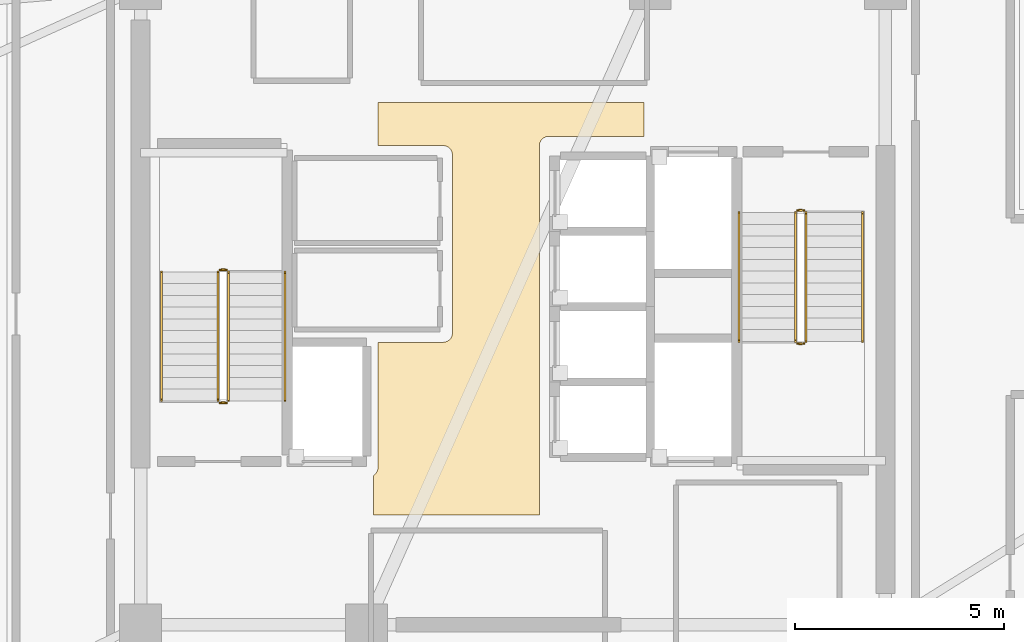
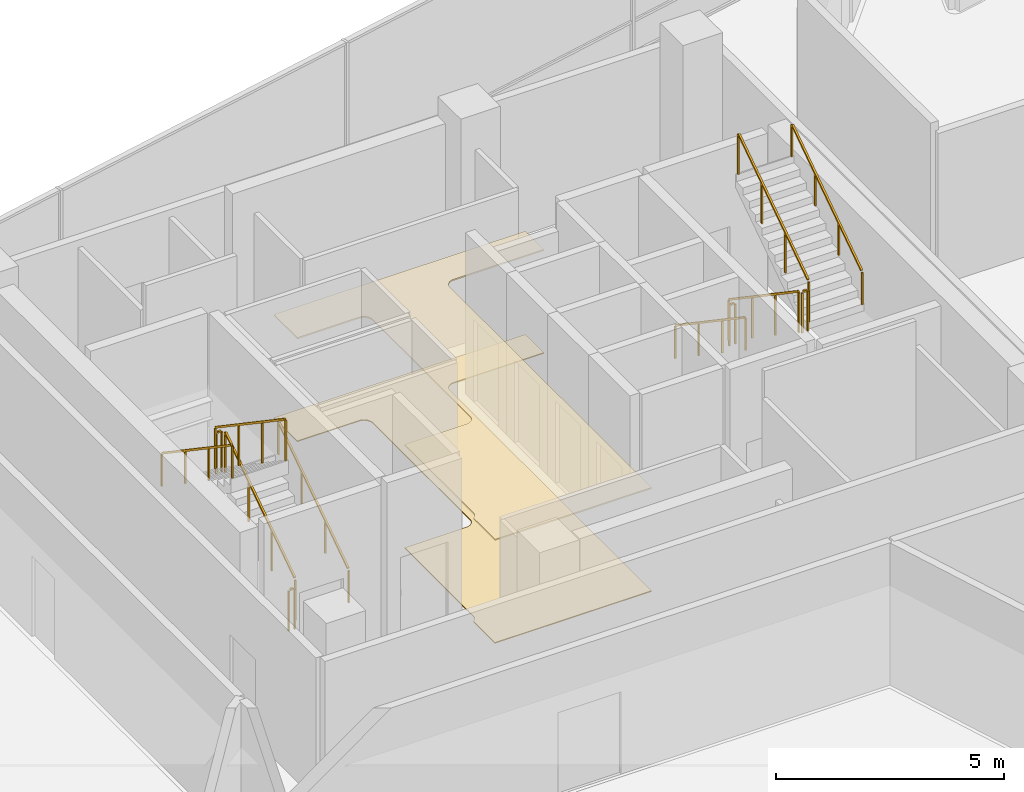
# One storey, part 10 of 11: 12 railings, 2 coverings.
"""IFC4 building model written with IfcOpenShell, lengths in metres."""

from ifc_helpers import new_model, si_unit, direction, frame, origin, origin_2d, place, context, subcontext, project, spatial, polyline, rectangle, outline, extrude, material, layer, layer_set, type_object, element, save


model = new_model("IFC4")

# Units and contexts
model_context = context("Model", 3, precision=1e-05, world=origin(), true_north=direction((0.0, 1.0)))
body_context = subcontext(model_context, "Body", "Model", "MODEL_VIEW")
ifc_project = project(units=[si_unit("LENGTHUNIT", "METRE"), si_unit("AREAUNIT", "SQUARE_METRE"), si_unit("VOLUMEUNIT", "CUBIC_METRE"), si_unit("PLANEANGLEUNIT", "RADIAN"), si_unit("MASSUNIT", "GRAM", prefix="KILO")], contexts=[model_context])

# Site, building, storey
site_placement = place(None, origin())
site = spatial("IfcSite", under=ifc_project, at=site_placement, CompositionType="ELEMENT")
building_placement = place(site_placement, origin())
building = spatial("IfcBuilding", under=site, at=building_placement, Name="Tharavind Bronze Gate", CompositionType="ELEMENT")
storey_placement = place(building_placement, frame((0.0, 0.0, 306.300048828125)))
storey = spatial("IfcBuildingStorey", under=building, at=storey_placement, Name="L79", CompositionType="ELEMENT", Elevation=306.300048828125)

# Coverings
ifc_material_1 = material(Name="Perforated Bronze Acoustic Panel", Category="bronze")
ifc_layer_1 = layer(ifc_material_1, 0.044921875)
ifc_layer_set_1 = layer_set([ifc_layer_1], Name="Perforated Bronze Acoustic Panel")
covering_type_1 = type_object("IfcCoveringType", Name="ACOUSTIC BRONZE BAFFLE CEILING", PredefinedType="CEILING", material=ifc_layer_set_1)
covering_1_placement = place(storey_placement, frame((0.0, 0.0, 2.75)))
element("IfcCovering", 1, at=covering_1_placement, inside=storey, type_object=covering_type_1, Name="L79-C-LL suspended ceiling", PredefinedType="CEILING", context=body_context, shape_type="SweptSolid", body=[
    extrude(outline(polyline([(-3.330078125, -4.97998046875), (0.6298828125, -4.97998046875), (0.6298828125, 3.85009765625), (0.631103515625, 3.87158203125), (0.63427734375, 3.892822265625), (0.639404296875, 3.913818359375), (0.646728515625, 3.93408203125), (0.656005859375, 3.95361328125), (0.6669921875, 3.97216796875), (0.679931640625, 3.989501953125), (0.6943359375, 4.005615234375), (0.71044921875, 4.02001953125), (0.727783203125, 4.032958984375), (0.746337890625, 4.0439453125), (0.765869140625, 4.05322265625), (0.7861328125, 4.060546875), (0.80712890625, 4.06591796875), (0.828369140625, 4.06884765625), (0.85009765625, 4.070068359375), (3.1298828125, 4.070068359375), (3.1298828125, 4.8798828125), (-3.22998046875, 4.8798828125), (-3.22998046875, 3.85009765625), (-1.669921875, 3.85009765625), (-1.6484375, 3.848876953125), (-1.627197265625, 3.845703125), (-1.606201171875, 3.840576171875), (-1.585693359375, 3.833251953125), (-1.56640625, 3.823974609375), (-1.5478515625, 3.81298828125), (-1.530517578125, 3.800048828125), (-1.514404296875, 3.78564453125), (-1.5, 3.76953125), (-1.487060546875, 3.752197265625), (-1.47607421875, 3.733642578125), (-1.466796875, 3.714111328125), (-1.45947265625, 3.69384765625), (-1.4541015625, 3.6728515625), (-1.451171875, 3.651611328125), (-1.449951171875, 3.6298828125), (-1.449951171875, 1.43994140625), (-1.450439453125, 1.429931640625), (-1.449951171875, 1.419921875), (-1.449951171875, -0.6298828125), (-1.451171875, -0.651611328125), (-1.4541015625, -0.6728515625), (-1.45947265625, -0.69384765625), (-1.466796875, -0.714111328125), (-1.47607421875, -0.733642578125), (-1.487060546875, -0.752197265625), (-1.5, -0.76953125), (-1.514404296875, -0.78564453125), (-1.530517578125, -0.800048828125), (-1.5478515625, -0.81298828125), (-1.56640625, -0.823974609375), (-1.585693359375, -0.833251953125), (-1.606201171875, -0.840576171875), (-1.627197265625, -0.845703125), (-1.6484375, -0.848876953125), (-1.669921875, -0.85009765625), (-3.22998046875, -0.85009765625), (-3.22998046875, -3.85009765625), (-3.231201171875, -3.87158203125), (-3.234130859375, -3.892822265625), (-3.239501953125, -3.913818359375), (-3.24658203125, -3.93408203125), (-3.256103515625, -3.95361328125), (-3.26708984375, -3.97216796875), (-3.27978515625, -3.989501953125), (-3.29443359375, -4.005615234375), (-3.310302734375, -4.02001953125), (-3.327880859375, -4.032958984375), (-3.330078125, -4.0341796875), (-3.330078125, -4.97998046875)])), origin(), (0.0, 0.0, 1.0), 0.034912109375),
])
ifc_material_2 = material(Name="Honed Travertine Limestone", Category="masonry")
ifc_layer_2 = layer(ifc_material_2, 0.030029296875)
ifc_layer_set_2 = layer_set([ifc_layer_2], Name="Honed Travertine Limestone")
covering_type_2 = type_object("IfcCoveringType", Name="HONED LIMESTONE FLOORING", PredefinedType="FLOORING", material=ifc_layer_set_2)
covering_2_placement = place(storey_placement, origin())
element("IfcCovering", 2, at=covering_2_placement, inside=storey, type_object=covering_type_2, Name="L79-C-LL floor finish", PredefinedType="FLOORING", context=body_context, shape_type="SweptSolid", body=[
    extrude(outline(polyline([(-3.330078125, -4.97998046875), (0.6298828125, -4.97998046875), (0.6298828125, 3.85009765625), (0.631103515625, 3.87158203125), (0.63427734375, 3.892822265625), (0.639404296875, 3.913818359375), (0.646728515625, 3.93408203125), (0.656005859375, 3.95361328125), (0.6669921875, 3.97216796875), (0.679931640625, 3.989501953125), (0.6943359375, 4.005615234375), (0.71044921875, 4.02001953125), (0.727783203125, 4.032958984375), (0.746337890625, 4.0439453125), (0.765869140625, 4.05322265625), (0.7861328125, 4.060546875), (0.80712890625, 4.06591796875), (0.828369140625, 4.06884765625), (0.85009765625, 4.070068359375), (3.1298828125, 4.070068359375), (3.1298828125, 4.8798828125), (-3.22998046875, 4.8798828125), (-3.22998046875, 3.85009765625), (-1.669921875, 3.85009765625), (-1.6484375, 3.848876953125), (-1.627197265625, 3.845703125), (-1.606201171875, 3.840576171875), (-1.585693359375, 3.833251953125), (-1.56640625, 3.823974609375), (-1.5478515625, 3.81298828125), (-1.530517578125, 3.800048828125), (-1.514404296875, 3.78564453125), (-1.5, 3.76953125), (-1.487060546875, 3.752197265625), (-1.47607421875, 3.733642578125), (-1.466796875, 3.714111328125), (-1.45947265625, 3.69384765625), (-1.4541015625, 3.6728515625), (-1.451171875, 3.651611328125), (-1.449951171875, 3.6298828125), (-1.449951171875, 1.43994140625), (-1.450439453125, 1.429931640625), (-1.449951171875, 1.419921875), (-1.449951171875, -0.6298828125), (-1.451171875, -0.651611328125), (-1.4541015625, -0.6728515625), (-1.45947265625, -0.69384765625), (-1.466796875, -0.714111328125), (-1.47607421875, -0.733642578125), (-1.487060546875, -0.752197265625), (-1.5, -0.76953125), (-1.514404296875, -0.78564453125), (-1.530517578125, -0.800048828125), (-1.5478515625, -0.81298828125), (-1.56640625, -0.823974609375), (-1.585693359375, -0.833251953125), (-1.606201171875, -0.840576171875), (-1.627197265625, -0.845703125), (-1.6484375, -0.848876953125), (-1.669921875, -0.85009765625), (-3.22998046875, -0.85009765625), (-3.22998046875, -3.85009765625), (-3.231201171875, -3.87158203125), (-3.234130859375, -3.892822265625), (-3.239501953125, -3.913818359375), (-3.24658203125, -3.93408203125), (-3.256103515625, -3.95361328125), (-3.26708984375, -3.97216796875), (-3.27978515625, -3.989501953125), (-3.29443359375, -4.005615234375), (-3.310302734375, -4.02001953125), (-3.327880859375, -4.032958984375), (-3.330078125, -4.0341796875), (-3.330078125, -4.97998046875)])), origin(), (0.0, 0.0, 1.0), 0.02490234375),
])

# Railings
ifc_material_3 = material(Name="Brushed Bronze Alloy", Category="metal")
railing_type_1 = type_object("IfcRailingType", Name="STAIR BRONZE HANDRAIL 900", PredefinedType="HANDRAIL", material=ifc_material_3)
railing_1_placement = place(storey_placement, frame((-5.449951171875, -2.25, 0.189453125)))
element("IfcRailing", 3, at=railing_1_placement, inside=storey, type_object=railing_type_1, Name="L79 ST1 stair handrail 1", PredefinedType="HANDRAIL", context=body_context, shape_type="SweptSolid", body=[
    extrude(rectangle(XDim=0.048095703125, YDim=0.048095703125, at=origin_2d()), frame((0.0, 0.026611328125, 0.893798828125), z_axis=(0.0, 0.828050405681, 0.560653659268), x_axis=(-1.0, 0.0, 0.0)), (0.0, 0.0, 1.0), 3.65576171875),
    extrude(rectangle(XDim=0.0400390625, YDim=0.0400390625, at=origin_2d()), origin(), (0.0, 0.0, 1.0), 0.847900390625),
    extrude(rectangle(XDim=0.0400390625, YDim=0.0400390625, at=origin_2d()), frame((0.0, 1.026611328125, 0.695068359375)), (0.0, 0.0, 1.0), 0.847900390625),
    extrude(rectangle(XDim=0.0400390625, YDim=0.0400390625, at=origin_2d()), frame((0.0, 2.053466796875, 1.390380859375)), (0.0, 0.0, 1.0), 0.847900390625),
    extrude(rectangle(XDim=0.0400390625, YDim=0.0400390625, at=origin_2d()), frame((0.0, 3.080078125, 2.08544921875)), (0.0, 0.0, 1.0), 0.847900390625),
])
for number, where, name in (
    (4, (-8.39990234375, 0.830078125, 2.464599609375), "L79 ST1 stair handrail 2"),
    (5, (5.39990234375, 2.25, 0.189453125), "L79 ST2 stair handrail 1"),
):
    element("IfcRailing", number, at=place(storey_placement, frame(where)), inside=storey, type_object=railing_type_1, Name=name, PredefinedType="HANDRAIL", context=body_context, shape_type="SweptSolid", body=[
        extrude(rectangle(XDim=0.048095703125, YDim=0.048095703125, at=origin_2d()), frame((0.0, -0.026611328125, 0.893798828125), z_axis=(0.0, -0.828050405681, 0.560653659268), x_axis=(1.0, 0.0, 0.0)), (0.0, 0.0, 1.0), 3.65576171875),
        extrude(rectangle(XDim=0.0400390625, YDim=0.0400390625, at=origin_2d()), origin(), (0.0, 0.0, 1.0), 0.847900390625),
        extrude(rectangle(XDim=0.0400390625, YDim=0.0400390625, at=origin_2d()), frame((0.0, -1.026611328125, 0.695068359375)), (0.0, 0.0, 1.0), 0.847900390625),
        extrude(rectangle(XDim=0.0400390625, YDim=0.0400390625, at=origin_2d()), frame((0.0, -2.053466796875, 1.390380859375)), (0.0, 0.0, 1.0), 0.847900390625),
        extrude(rectangle(XDim=0.0400390625, YDim=0.0400390625, at=origin_2d()), frame((0.0, -3.080078125, 2.08544921875)), (0.0, 0.0, 1.0), 0.847900390625),
    ])
railing_2_placement = place(storey_placement, frame((8.35009765625, -0.830078125, 2.464599609375)))
element("IfcRailing", 6, at=railing_2_placement, inside=storey, type_object=railing_type_1, Name="L79 ST2 stair handrail 2", PredefinedType="HANDRAIL", context=body_context, shape_type="SweptSolid", body=[
    extrude(rectangle(XDim=0.048095703125, YDim=0.048095703125, at=origin_2d()), frame((0.0, 0.026611328125, 0.893798828125), z_axis=(0.0, 0.828050405681, 0.560653659268), x_axis=(-1.0, 0.0, 0.0)), (0.0, 0.0, 1.0), 3.65576171875),
    extrude(rectangle(XDim=0.0400390625, YDim=0.0400390625, at=origin_2d()), origin(), (0.0, 0.0, 1.0), 0.847900390625),
    extrude(rectangle(XDim=0.0400390625, YDim=0.0400390625, at=origin_2d()), frame((0.0, 1.026611328125, 0.695068359375)), (0.0, 0.0, 1.0), 0.847900390625),
    extrude(rectangle(XDim=0.0400390625, YDim=0.0400390625, at=origin_2d()), frame((0.0, 2.053466796875, 1.390380859375)), (0.0, 0.0, 1.0), 0.847900390625),
    extrude(rectangle(XDim=0.0400390625, YDim=0.0400390625, at=origin_2d()), frame((0.0, 3.080078125, 2.08544921875)), (0.0, 0.0, 1.0), 0.847900390625),
])
railing_type_2 = type_object("IfcRailingType", Name="STAIR WELL GUARD RAILING 1120", PredefinedType="GUARDRAIL", material=ifc_material_3)
railing_3_placement = place(storey_placement, frame((-6.800048828125, -2.25, 0.189453125)))
element("IfcRailing", 7, at=railing_3_placement, inside=storey, type_object=railing_type_2, Name="L79 ST1 stair guard 1", PredefinedType="GUARDRAIL", context=body_context, shape_type="SweptSolid", body=[
    extrude(rectangle(XDim=0.048095703125, YDim=0.048095703125, at=origin_2d()), frame((0.0, 0.026611328125, 1.114013671875), z_axis=(0.0, 0.828050405681, 0.560653659268), x_axis=(-1.0, 0.0, 0.0)), (0.0, 0.0, 1.0), 3.65576171875),
    extrude(rectangle(XDim=0.0400390625, YDim=0.0400390625, at=origin_2d()), origin(), (0.0, 0.0, 1.0), 1.068115234375),
    extrude(rectangle(XDim=0.0400390625, YDim=0.0400390625, at=origin_2d()), frame((0.0, 1.026611328125, 0.695068359375)), (0.0, 0.0, 1.0), 1.068115234375),
    extrude(rectangle(XDim=0.0400390625, YDim=0.0400390625, at=origin_2d()), frame((0.0, 2.053466796875, 1.390380859375)), (0.0, 0.0, 1.0), 1.068115234375),
    extrude(rectangle(XDim=0.0400390625, YDim=0.0400390625, at=origin_2d()), frame((0.0, 3.080078125, 2.08544921875)), (0.0, 0.0, 1.0), 1.068115234375),
])
railing_4_placement = place(storey_placement, frame((-6.85009765625, 0.8798828125, 2.27490234375)))
element("IfcRailing", 8, at=railing_4_placement, inside=storey, type_object=railing_type_2, Name="L79 ST1 stair guard 2", PredefinedType="GUARDRAIL", context=body_context, shape_type="SweptSolid", body=[
    extrude(rectangle(XDim=0.048095703125, YDim=0.048095703125, at=origin_2d()), frame((-0.031982421875, 0.0, 1.09619140625), z_axis=(-1.0, 0.0, 0.0), x_axis=(0.0, -1.0, 0.0)), (0.0, 0.0, 1.0), 0.0859375),
    extrude(rectangle(XDim=0.0400390625, YDim=0.0400390625, at=origin_2d()), origin(), (0.0, 0.0, 1.0), 1.068115234375),
    extrude(rectangle(XDim=0.0400390625, YDim=0.0400390625, at=origin_2d()), frame((-0.14990234375, 0.0, 0.0)), (0.0, 0.0, 1.0), 1.068115234375),
])
railing_5_placement = place(storey_placement, frame((-7.050048828125, 0.830078125, 2.464599609375)))
element("IfcRailing", 9, at=railing_5_placement, inside=storey, type_object=railing_type_2, Name="L79 ST1 stair guard 3", PredefinedType="GUARDRAIL", context=body_context, shape_type="SweptSolid", body=[
    extrude(rectangle(XDim=0.048095703125, YDim=0.048095703125, at=origin_2d()), frame((0.0, -0.026611328125, 1.114013671875), z_axis=(0.0, -0.828050405681, 0.560653659268), x_axis=(1.0, 0.0, 0.0)), (0.0, 0.0, 1.0), 3.65576171875),
    extrude(rectangle(XDim=0.0400390625, YDim=0.0400390625, at=origin_2d()), origin(), (0.0, 0.0, 1.0), 1.068115234375),
    extrude(rectangle(XDim=0.0400390625, YDim=0.0400390625, at=origin_2d()), frame((0.0, -1.026611328125, 0.695068359375)), (0.0, 0.0, 1.0), 1.068115234375),
    extrude(rectangle(XDim=0.0400390625, YDim=0.0400390625, at=origin_2d()), frame((0.0, -2.053466796875, 1.390380859375)), (0.0, 0.0, 1.0), 1.068115234375),
    extrude(rectangle(XDim=0.0400390625, YDim=0.0400390625, at=origin_2d()), frame((0.0, -3.080078125, 2.08544921875)), (0.0, 0.0, 1.0), 1.068115234375),
])
railing_6_placement = place(storey_placement, frame((-6.85009765625, -2.300048828125, 0.0)))
element("IfcRailing", 10, at=railing_6_placement, inside=storey, type_object=railing_type_2, Name="L79 ST1 stair guard 4", PredefinedType="GUARDRAIL", context=body_context, shape_type="SweptSolid", body=[
    extrude(rectangle(XDim=0.048095703125, YDim=0.048095703125, at=origin_2d()), frame((-0.031982421875, 0.0, 1.09619140625), z_axis=(-1.0, 0.0, 0.0), x_axis=(0.0, -1.0, 0.0)), (0.0, 0.0, 1.0), 0.0859375),
    extrude(rectangle(XDim=0.0400390625, YDim=0.0400390625, at=origin_2d()), origin(), (0.0, 0.0, 1.0), 1.068115234375),
    extrude(rectangle(XDim=0.0400390625, YDim=0.0400390625, at=origin_2d()), frame((-0.14990234375, 0.0, 0.0)), (0.0, 0.0, 1.0), 1.068115234375),
])
railing_7_placement = place(storey_placement, frame((6.75, 2.25, 0.189453125)))
element("IfcRailing", 11, at=railing_7_placement, inside=storey, type_object=railing_type_2, Name="L79 ST2 stair guard 1", PredefinedType="GUARDRAIL", context=body_context, shape_type="SweptSolid", body=[
    extrude(rectangle(XDim=0.048095703125, YDim=0.048095703125, at=origin_2d()), frame((0.0, -0.026611328125, 1.114013671875), z_axis=(0.0, -0.828050405681, 0.560653659268), x_axis=(1.0, 0.0, 0.0)), (0.0, 0.0, 1.0), 3.65576171875),
    extrude(rectangle(XDim=0.0400390625, YDim=0.0400390625, at=origin_2d()), origin(), (0.0, 0.0, 1.0), 1.068115234375),
    extrude(rectangle(XDim=0.0400390625, YDim=0.0400390625, at=origin_2d()), frame((0.0, -1.026611328125, 0.695068359375)), (0.0, 0.0, 1.0), 1.068115234375),
    extrude(rectangle(XDim=0.0400390625, YDim=0.0400390625, at=origin_2d()), frame((0.0, -2.053466796875, 1.390380859375)), (0.0, 0.0, 1.0), 1.068115234375),
    extrude(rectangle(XDim=0.0400390625, YDim=0.0400390625, at=origin_2d()), frame((0.0, -3.080078125, 2.08544921875)), (0.0, 0.0, 1.0), 1.068115234375),
])
railing_8_placement = place(storey_placement, frame((6.800048828125, -0.8798828125, 2.27490234375)))
element("IfcRailing", 12, at=railing_8_placement, inside=storey, type_object=railing_type_2, Name="L79 ST2 stair guard 2", PredefinedType="GUARDRAIL", context=body_context, shape_type="SweptSolid", body=[
    extrude(rectangle(XDim=0.048095703125, YDim=0.048095703125, at=origin_2d()), frame((0.031982421875, 0.0, 1.09619140625), z_axis=(1.0, 0.0, 0.0), x_axis=(0.0, 1.0, 0.0)), (0.0, 0.0, 1.0), 0.0859375),
    extrude(rectangle(XDim=0.0400390625, YDim=0.0400390625, at=origin_2d()), origin(), (0.0, 0.0, 1.0), 1.068115234375),
    extrude(rectangle(XDim=0.0400390625, YDim=0.0400390625, at=origin_2d()), frame((0.14990234375, 0.0, 0.0)), (0.0, 0.0, 1.0), 1.068115234375),
])
railing_9_placement = place(storey_placement, frame((7.0, -0.830078125, 2.464599609375)))
element("IfcRailing", 13, at=railing_9_placement, inside=storey, type_object=railing_type_2, Name="L79 ST2 stair guard 3", PredefinedType="GUARDRAIL", context=body_context, shape_type="SweptSolid", body=[
    extrude(rectangle(XDim=0.048095703125, YDim=0.048095703125, at=origin_2d()), frame((0.0, 0.026611328125, 1.114013671875), z_axis=(0.0, 0.828050405681, 0.560653659268), x_axis=(-1.0, 0.0, 0.0)), (0.0, 0.0, 1.0), 3.65576171875),
    extrude(rectangle(XDim=0.0400390625, YDim=0.0400390625, at=origin_2d()), origin(), (0.0, 0.0, 1.0), 1.068115234375),
    extrude(rectangle(XDim=0.0400390625, YDim=0.0400390625, at=origin_2d()), frame((0.0, 1.026611328125, 0.695068359375)), (0.0, 0.0, 1.0), 1.068115234375),
    extrude(rectangle(XDim=0.0400390625, YDim=0.0400390625, at=origin_2d()), frame((0.0, 2.053466796875, 1.390380859375)), (0.0, 0.0, 1.0), 1.068115234375),
    extrude(rectangle(XDim=0.0400390625, YDim=0.0400390625, at=origin_2d()), frame((0.0, 3.080078125, 2.08544921875)), (0.0, 0.0, 1.0), 1.068115234375),
])
railing_10_placement = place(storey_placement, frame((6.800048828125, 2.300048828125, 0.0)))
element("IfcRailing", 14, at=railing_10_placement, inside=storey, type_object=railing_type_2, Name="L79 ST2 stair guard 4", PredefinedType="GUARDRAIL", context=body_context, shape_type="SweptSolid", body=[
    extrude(rectangle(XDim=0.048095703125, YDim=0.048095703125, at=origin_2d()), frame((0.031982421875, 0.0, 1.09619140625), z_axis=(1.0, 0.0, 0.0), x_axis=(0.0, 1.0, 0.0)), (0.0, 0.0, 1.0), 0.0859375),
    extrude(rectangle(XDim=0.0400390625, YDim=0.0400390625, at=origin_2d()), origin(), (0.0, 0.0, 1.0), 1.068115234375),
    extrude(rectangle(XDim=0.0400390625, YDim=0.0400390625, at=origin_2d()), frame((0.14990234375, 0.0, 0.0)), (0.0, 0.0, 1.0), 1.068115234375),
])

save(model, "model.ifc")
